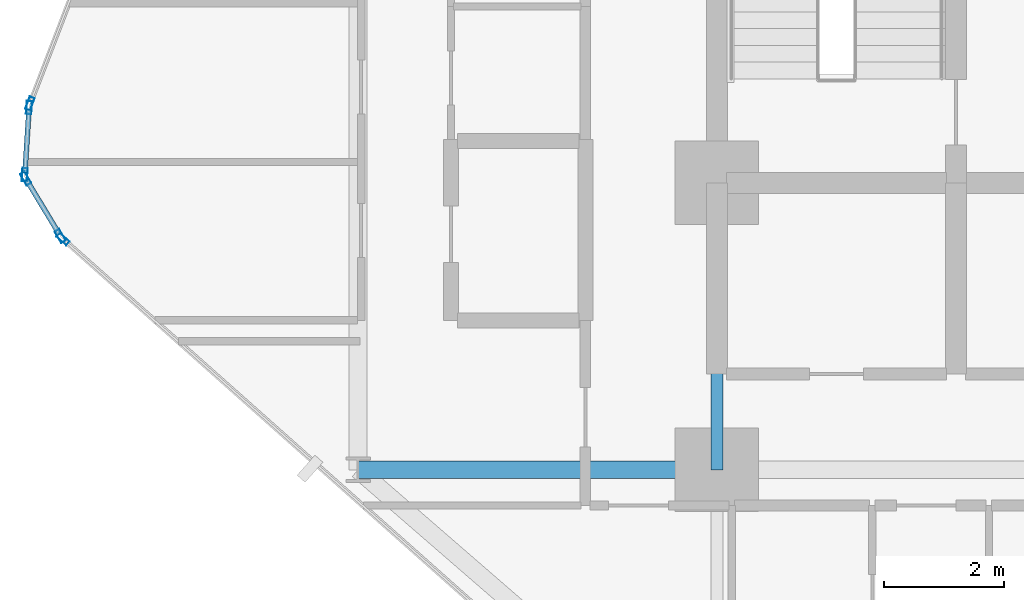
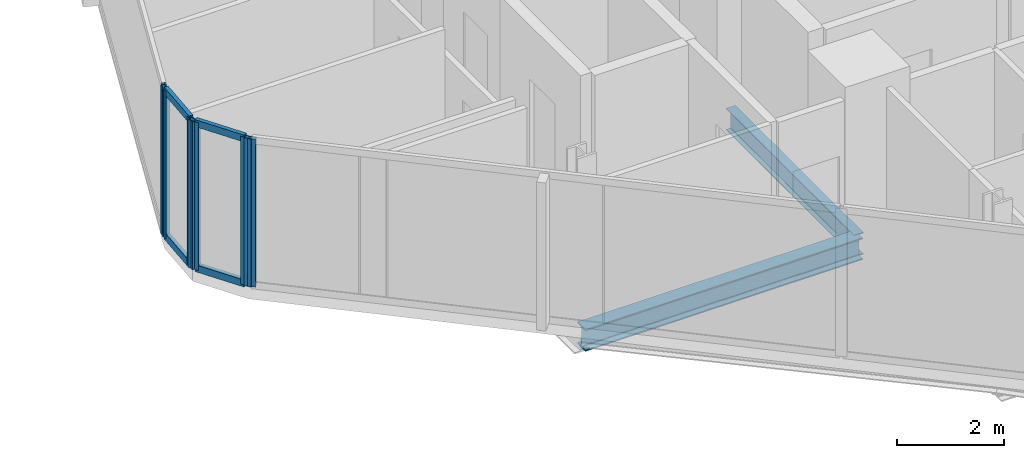
# One storey, part 5 of 35: 10 members, 2 beams, 4 elements without a shape of their own.
"""IFC4 building model written with IfcOpenShell, lengths in metres."""

from ifc_helpers import new_model, si_unit, direction, frame, origin, origin_2d, place, context, subcontext, project, spatial, hollow_rectangle, i_section, extrude, material, layer, layer_set, material_profile, profile_set, type_object, element, aggregate, save


model = new_model("IFC4")

# Units and contexts
model_context = context("Model", 3, precision=1e-05, world=origin(), true_north=direction((0.0, 1.0)))
body_context = subcontext(model_context, "Body", "Model", "MODEL_VIEW")
ifc_project = project(units=[si_unit("LENGTHUNIT", "METRE"), si_unit("AREAUNIT", "SQUARE_METRE"), si_unit("VOLUMEUNIT", "CUBIC_METRE"), si_unit("PLANEANGLEUNIT", "RADIAN"), si_unit("MASSUNIT", "GRAM", prefix="KILO")], contexts=[model_context])

# Site, building, storey
site_placement = place(None, origin())
site = spatial("IfcSite", under=ifc_project, at=site_placement, CompositionType="ELEMENT")
building_placement = place(site_placement, origin())
building = spatial("IfcBuilding", under=site, at=building_placement, Name="Keshet Zoharim Tower", CompositionType="ELEMENT")
storey_placement = place(building_placement, frame((0.0, 0.0, 24.0)))
storey = spatial("IfcBuildingStorey", under=building, at=storey_placement, Name="L04", CompositionType="ELEMENT", Elevation=24.0)

# Beams
ifc_material_1 = material(Name="Steel S355", Category="steel")
ifc_material_profile_1 = material_profile(ifc_material_1, i_section(OverallWidth=0.199951171875, OverallDepth=0.5, WebThickness=0.01025390625, FlangeThickness=0.01611328125, FilletRadius=0.02099609375, at=origin_2d()), Name="IPE500")
ifc_profile_set_1 = profile_set([ifc_material_profile_1], Name="Steel S355")
beam_type_1 = type_object("IfcBeamType", Name="BM-PRI-IP500", PredefinedType="BEAM", material=ifc_profile_set_1)
beam_1_placement = place(storey_placement, frame((15.0, 17.89990234375, -0.56494140625), z_axis=(0.0, 1.0, 0.0), x_axis=(-1.0, 0.0, 0.0)))
element("IfcBeam", 1, at=beam_1_placement, inside=storey, type_object=beam_type_1, Name="L04 Primary Girder Y-003", PredefinedType="BEAM", context=body_context, shape_type="SweptSolid", body=[
    extrude(i_section(OverallWidth=0.199951171875, OverallDepth=0.5, WebThickness=0.01025390625, FlangeThickness=0.01611328125, FilletRadius=0.02099609375, at=origin_2d()), origin(), (0.0, 0.0, 1.0), 4.800048828125),
])
ifc_material_profile_2 = material_profile(ifc_material_1, i_section(OverallWidth=0.300048828125, OverallDepth=0.5, WebThickness=0.014404296875, FlangeThickness=0.028076171875, FilletRadius=0.027099609375, at=origin_2d()), Name="HEB500")
ifc_profile_set_2 = profile_set([ifc_material_profile_2], Name="Steel S355")
beam_type_2 = type_object("IfcBeamType", Name="BM-WEB-HB500", PredefinedType="BEAM", material=ifc_profile_set_2)
beam_2_placement = place(storey_placement, frame((9.0, 17.89990234375, -0.56494140625), z_axis=(1.0, 0.0, 0.0), x_axis=(0.0, 1.0, 0.0)))
element("IfcBeam", 2, at=beam_2_placement, inside=storey, type_object=beam_type_2, Name="L04 Primary Girder X-015", PredefinedType="BEAM", context=body_context, shape_type="SweptSolid", body=[
    extrude(i_section(OverallWidth=0.300048828125, OverallDepth=0.5, WebThickness=0.014404296875, FlangeThickness=0.028076171875, FilletRadius=0.027099609375, at=origin_2d()), origin(), (0.0, 0.0, 1.0), 6.0),
])

# Curtain wall, member
ifc_material_2 = material(Name="Aluminium 6063-T6", Category="aluminium")
ifc_layer = layer(ifc_material_2, 0.179931640625)
ifc_layer_set = layer_set([ifc_layer], Name="Aluminium 6063-T6")
curtain_wall_type = type_object("IfcCurtainWallType", Name="CW-SYS-01", PredefinedType="NOTDEFINED", material=ifc_layer_set)
curtain_wall_1_placement = place(storey_placement, origin())
curtain_wall_1 = element("IfcCurtainWall", 3, at=curtain_wall_1_placement, inside=storey, type_object=curtain_wall_type, Name="L04 Unitised Curtain Wall 01", PredefinedType="NOTDEFINED")
ifc_material_profile_3 = material_profile(ifc_material_2, hollow_rectangle(XDim=0.090087890625, YDim=0.219970703125, WallThickness=0.0048828125, at=origin_2d()), Name="MUL-90x220")
ifc_profile_set_3 = profile_set([ifc_material_profile_3], Name="Aluminium 6063-T6")
member_type_1 = type_object("IfcMemberType", Name="CWM-M22", PredefinedType="MULLION", material=ifc_profile_set_3)
member_1_placement = place(storey_placement, frame((4.061279296875, 21.7568359375, 0.0), z_axis=(0.0, 0.0, 1.0), x_axis=(-0.664363838836, -0.747409318679, 0.0)))
member_1 = element("IfcMember", 4, at=member_1_placement, type_object=member_type_1, Name="CW-01 mullion 3", PredefinedType="MULLION", context=body_context, shape_type="SweptSolid", body=[
    extrude(hollow_rectangle(XDim=0.090087890625, YDim=0.219970703125, WallThickness=0.0048828125, at=origin_2d()), origin(), (0.0, 0.0, 1.0), 3.385009765625),
])
aggregate(curtain_wall_1, [member_1])

# Curtain wall, members
curtain_wall_2_placement = place(storey_placement, origin())
curtain_wall_2 = element("IfcCurtainWall", 5, at=curtain_wall_2_placement, inside=storey, type_object=curtain_wall_type, Name="L04 Unitised Curtain Wall 02", PredefinedType="NOTDEFINED")
member_2_placement = place(storey_placement, frame((4.016845703125, 21.81005859375, 0.0), z_axis=(0.0, 0.0, 1.0), x_axis=(-0.856826433805, -0.515604947933, 0.0)))
member_2 = element("IfcMember", 6, at=member_2_placement, type_object=member_type_1, Name="CW-01 mullion 1", PredefinedType="MULLION", context=body_context, shape_type="SweptSolid", body=[
    extrude(hollow_rectangle(XDim=0.090087890625, YDim=0.219970703125, WallThickness=0.0048828125, at=origin_2d()), origin(), (0.0, 0.0, 1.0), 3.385009765625),
])
member_3_placement = place(storey_placement, frame((3.43798828125, 22.77197265625, 0.0), z_axis=(0.0, 0.0, 1.0), x_axis=(-0.856826433805, -0.515604947933, 0.0)))
member_3 = element("IfcMember", 7, at=member_3_placement, type_object=member_type_1, Name="CW-01 mullion 2", PredefinedType="MULLION", context=body_context, shape_type="SweptSolid", body=[
    extrude(hollow_rectangle(XDim=0.090087890625, YDim=0.219970703125, WallThickness=0.0048828125, at=origin_2d()), origin(), (0.0, 0.0, 1.0), 3.385009765625),
])

curtain_wall_3_placement = place(storey_placement, origin())
curtain_wall_3 = element("IfcCurtainWall", 8, at=curtain_wall_3_placement, inside=storey, type_object=curtain_wall_type, Name="L04 Unitised Curtain Wall 03", PredefinedType="NOTDEFINED")
member_4_placement = place(storey_placement, frame((3.42236328125, 22.8369140625, 0.0), z_axis=(0.0, 0.0, 1.0), x_axis=(-0.997916617186, 0.064516859374, 0.0)))
member_4 = element("IfcMember", 9, at=member_4_placement, type_object=member_type_1, Name="CW-01 mullion 1", PredefinedType="MULLION", context=body_context, shape_type="SweptSolid", body=[
    extrude(hollow_rectangle(XDim=0.090087890625, YDim=0.219970703125, WallThickness=0.0048828125, at=origin_2d()), origin(), (0.0, 0.0, 1.0), 3.385009765625),
])
member_5_placement = place(storey_placement, frame((3.49462890625, 23.9580078125, 0.0), z_axis=(0.0, 0.0, 1.0), x_axis=(-0.997916617186, 0.064516859374, 0.0)))
member_5 = element("IfcMember", 10, at=member_5_placement, type_object=member_type_1, Name="CW-01 mullion 2", PredefinedType="MULLION", context=body_context, shape_type="SweptSolid", body=[
    extrude(hollow_rectangle(XDim=0.090087890625, YDim=0.219970703125, WallThickness=0.0048828125, at=origin_2d()), origin(), (0.0, 0.0, 1.0), 3.385009765625),
])

# Curtain wall, member
curtain_wall_4_placement = place(storey_placement, origin())
curtain_wall_4 = element("IfcCurtainWall", 11, at=curtain_wall_4_placement, inside=storey, type_object=curtain_wall_type, Name="L04 Unitised Curtain Wall 04", PredefinedType="NOTDEFINED")
member_6_placement = place(storey_placement, frame((3.509521484375, 24.025634765625, 0.0), z_axis=(0.0, 0.0, 1.0), x_axis=(-0.933341404361, 0.358990003907, 0.0)))
member_6 = element("IfcMember", 12, at=member_6_placement, type_object=member_type_1, Name="CW-01 mullion 1", PredefinedType="MULLION", context=body_context, shape_type="SweptSolid", body=[
    extrude(hollow_rectangle(XDim=0.090087890625, YDim=0.219970703125, WallThickness=0.0048828125, at=origin_2d()), origin(), (0.0, 0.0, 1.0), 3.385009765625),
])
aggregate(curtain_wall_4, [member_6])

# Member
ifc_material_profile_4 = material_profile(ifc_material_2, hollow_rectangle(XDim=0.0849609375, YDim=0.159912109375, WallThickness=0.00439453125, at=origin_2d()), Name="TRN-85x160")
ifc_profile_set_4 = profile_set([ifc_material_profile_4], Name="Aluminium 6063-T6")
member_type_2 = type_object("IfcMemberType", Name="CWT-T16", PredefinedType="USERDEFINED", material=ifc_profile_set_4)
member_7_placement = place(storey_placement, frame((3.9990234375, 21.840087890625, 0.034912109375), z_axis=(-0.515791194107, 0.856714330499, 0.0), x_axis=(-0.856714330499, -0.515791194107, 0.0)))
member_7 = element("IfcMember", 13, at=member_7_placement, type_object=member_type_2, Name="CW-01 transom 1.1", ObjectType="TRANSOM", PredefinedType="USERDEFINED", context=body_context, shape_type="SweptSolid", body=[
    extrude(hollow_rectangle(XDim=0.0849609375, YDim=0.159912109375, WallThickness=0.00439453125, at=origin_2d()), origin(), (0.0, 0.0, 1.0), 1.052734375),
])

member_8_placement = place(storey_placement, frame((3.9990234375, 21.840087890625, 3.35009765625), z_axis=(-0.515791194107, 0.856714330499, 0.0), x_axis=(-0.856714330499, -0.515791194107, 0.0)))
member_8 = element("IfcMember", 14, at=member_8_placement, type_object=member_type_2, Name="CW-01 transom 1.2", ObjectType="TRANSOM", PredefinedType="USERDEFINED", context=body_context, shape_type="SweptSolid", body=[
    extrude(hollow_rectangle(XDim=0.0849609375, YDim=0.159912109375, WallThickness=0.00439453125, at=origin_2d()), origin(), (0.0, 0.0, 1.0), 1.052734375),
])

aggregate(curtain_wall_2, [member_2, member_3, member_7, member_8])

member_9_placement = place(storey_placement, frame((3.424560546875, 22.871826171875, 0.034912109375), z_axis=(0.064426947155, 0.997922426083, 0.0), x_axis=(-0.997922426083, 0.064426947155, 0.0)))
member_9 = element("IfcMember", 15, at=member_9_placement, type_object=member_type_2, Name="CW-01 transom 1.1", ObjectType="TRANSOM", PredefinedType="USERDEFINED", context=body_context, shape_type="SweptSolid", body=[
    extrude(hollow_rectangle(XDim=0.0849609375, YDim=0.159912109375, WallThickness=0.00439453125, at=origin_2d()), origin(), (0.0, 0.0, 1.0), 1.053466796875),
])

member_10_placement = place(storey_placement, frame((3.424560546875, 22.871826171875, 3.35009765625), z_axis=(0.064426947155, 0.997922426083, 0.0), x_axis=(-0.997922426083, 0.064426947155, 0.0)))
member_10 = element("IfcMember", 16, at=member_10_placement, type_object=member_type_2, Name="CW-01 transom 1.2", ObjectType="TRANSOM", PredefinedType="USERDEFINED", context=body_context, shape_type="SweptSolid", body=[
    extrude(hollow_rectangle(XDim=0.0849609375, YDim=0.159912109375, WallThickness=0.00439453125, at=origin_2d()), origin(), (0.0, 0.0, 1.0), 1.053466796875),
])

aggregate(curtain_wall_3, [member_4, member_5, member_9, member_10])

save(model, "model.ifc")
